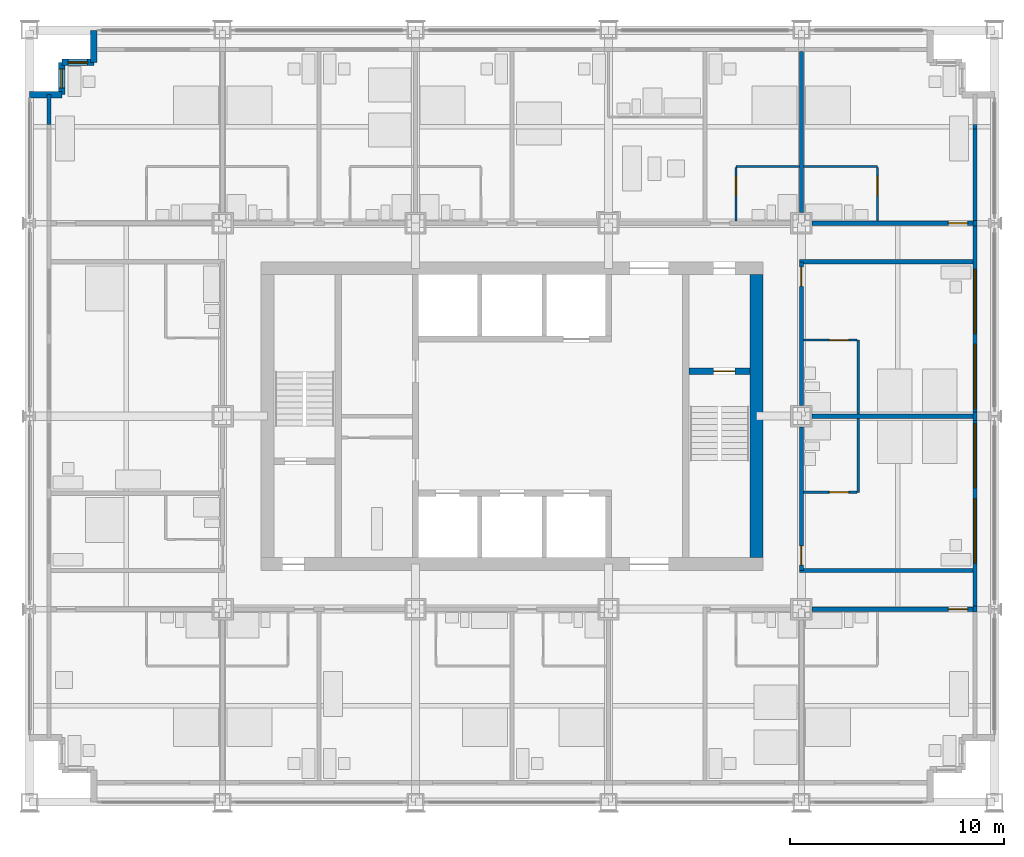
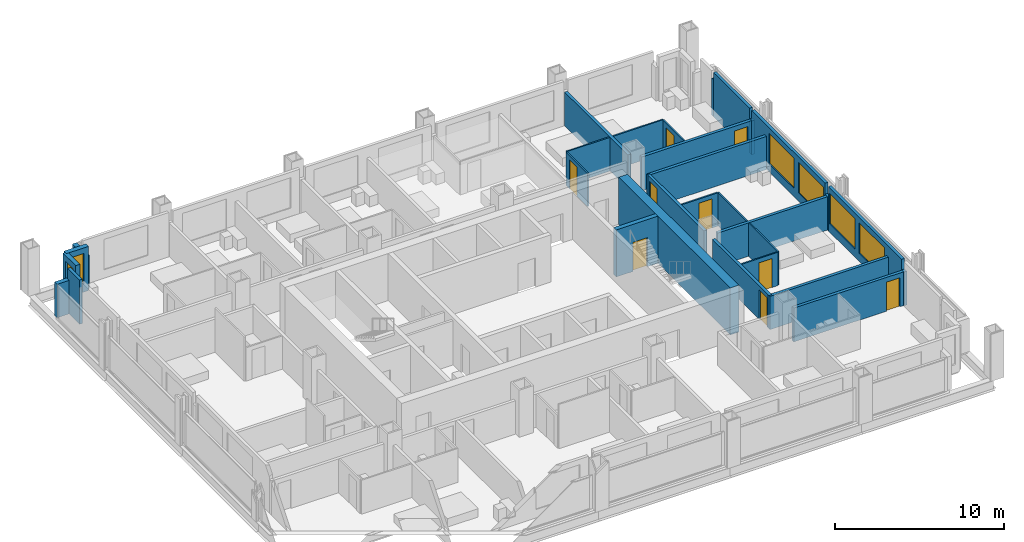
# One storey, part 12 of 16: 30 walls, 9 doors, 6 windows, 15 openings.
"""IFC4 building model written with IfcOpenShell, lengths in metres."""

from ifc_helpers import new_model, si_unit, direction, frame, frame_2d, origin, place, context, subcontext, project, spatial, rectangle, extrude, material, layer, layer_set, type_object, element, fill, save


model = new_model("IFC4")

# Units and contexts
model_context = context("Model", 3, precision=1e-05, world=origin(), true_north=direction((0.0, 1.0)))
body_context = subcontext(model_context, "Body", "Model", "MODEL_VIEW")
ifc_project = project(units=[si_unit("LENGTHUNIT", "METRE"), si_unit("AREAUNIT", "SQUARE_METRE"), si_unit("VOLUMEUNIT", "CUBIC_METRE"), si_unit("PLANEANGLEUNIT", "RADIAN"), si_unit("MASSUNIT", "GRAM", prefix="KILO")], contexts=[model_context])

# Site, building, storey
site_placement = place(None, origin())
site = spatial("IfcSite", under=ifc_project, at=site_placement, CompositionType="ELEMENT")
building_placement = place(site_placement, origin())
building = spatial("IfcBuilding", under=site, at=building_placement, Name="Loomwork Tower", CompositionType="ELEMENT")
storey_placement = place(building_placement, frame((0.0, 0.0, 97.60009765625)))
storey = spatial("IfcBuildingStorey", under=building, at=storey_placement, Name="L25", CompositionType="ELEMENT", Elevation=97.60009765625)

# Wall, opening, door
ifc_material_1 = material(Name="Concrete 14000 psi (97 MPa)", Category="concrete")
ifc_layer_1 = layer(ifc_material_1, 0.300048828125)
ifc_layer_set_1 = layer_set([ifc_layer_1], Name="Core shear wall 300")
wall_type_1 = type_object("IfcWallType", Name="Core shear wall 300", PredefinedType="SHEAR", material=ifc_layer_set_1)
wall_1_placement = place(storey_placement, frame((30.75, 20.10009765625, 0.0), z_axis=(0.0, 0.0, 1.0), x_axis=(1.0, 0.0, 0.0)))
wall_1 = element("IfcWall", 1, at=wall_1_placement, inside=storey, type_object=wall_type_1, Name="Stair B north wall L25", PredefinedType="SHEAR", context=body_context, shape_type="SweptSolid", body=[
    extrude(rectangle(XDim=2.85009765625, YDim=0.300048828125, at=frame_2d((1.425048828125, 0.0))), origin(), (0.0, 0.0, 1.0), 3.39990234375),
])
opening_1_placement = place(wall_1_placement, frame((1.14990234375, 0.0, 0.0)))
opening_1 = element("IfcOpeningElement", 2, at=opening_1_placement, cuts=wall_1, Name="Opening D4", PredefinedType="OPENING", context=body_context, shape_type="SweptSolid", body=[
    extrude(rectangle(XDim=1.0, YDim=2.10009765625, at=frame_2d((0.5, 1.050048828125))), frame((0.0, 0.159912109375, 0.0), z_axis=(0.0, -1.0, 0.0), x_axis=(1.0, 0.0, 0.0)), (0.0, 0.0, 1.0), 0.320068359375),
])
ifc_material_2 = material(Name="Hollow metal door and frame")
door_type_1 = type_object("IfcDoorType", Name="Stair door 1000", OperationType="SINGLE_SWING_RIGHT", PredefinedType="DOOR", material=ifc_material_2)
door_1_placement = place(opening_1_placement, frame((1.0, 0.0, 0.0), z_axis=(0.0, 0.0, 1.0), x_axis=(-1.0, 0.0, 0.0)))
door_1 = element("IfcDoor", 3, at=door_1_placement, inside=storey, type_object=door_type_1, Name="Stair B door", OperationType="SINGLE_SWING_LEFT", OverallHeight=2.10009765625, OverallWidth=1.0, PredefinedType="DOOR", context=body_context, shape_type="SweptSolid", body=[
    extrude(rectangle(XDim=1.0, YDim=2.10009765625, at=frame_2d((0.5, 1.050048828125))), frame((0.0, 0.02490234375, 0.0), z_axis=(0.0, -1.0, 0.0), x_axis=(1.0, 0.0, 0.0)), (0.0, 0.0, 1.0), 0.050048828125),
])
fill(opening_1, door_1)

# Wall
ifc_material_3 = material(Name="Concrete 14000 psi (97 MPa)", Category="concrete")
ifc_layer_2 = layer(ifc_material_3, 0.60009765625)
ifc_layer_set_2 = layer_set([ifc_layer_2], Name="Core shear wall 600")
wall_type_2 = type_object("IfcWallType", Name="Core shear wall 600", PredefinedType="SHEAR", material=ifc_layer_set_2)
wall_2_placement = place(storey_placement, frame((33.89990234375, 11.39990234375, 0.0), z_axis=(0.0, 0.0, 1.0), x_axis=(0.0, 1.0, 0.0)))
element("IfcWall", 4, at=wall_2_placement, inside=storey, type_object=wall_type_2, Name="Core wall east L25", PredefinedType="SHEAR", context=body_context, shape_type="SweptSolid", body=[
    extrude(rectangle(XDim=13.2001953125, YDim=0.60009765625, at=frame_2d((6.60009765625, 0.0))), origin(), (0.0, 0.0, 1.0), 3.39990234375),
])

# Wall, opening, door
ifc_material_4 = material(Name="Gypsum board on steel studs, one-hour", Category="steel")
ifc_layer_3 = layer(ifc_material_4, 0.199951171875)
ifc_layer_set_3 = layer_set([ifc_layer_3], Name="Corridor wall 200")
wall_type_3 = type_object("IfcWallType", Name="Corridor wall 200", PredefinedType="PARTITIONING", material=ifc_layer_set_3)
wall_3_placement = place(storey_placement, frame((36.5, 9.0, 0.0), z_axis=(0.0, 0.0, 1.0), x_axis=(1.0, 0.0, 0.0)))
wall_3 = element("IfcWall", 5, at=wall_3_placement, inside=storey, type_object=wall_type_3, Name="South corridor wall 5", PredefinedType="PARTITIONING", context=body_context, shape_type="SweptSolid", body=[
    extrude(rectangle(XDim=7.5, YDim=0.199951171875, at=frame_2d((3.75, 0.0))), origin(), (0.0, 0.0, 1.0), 2.43798828125),
])
opening_2_placement = place(wall_3_placement, frame((6.35009765625, 0.0, 0.0)))
opening_2 = element("IfcOpeningElement", 6, at=opening_2_placement, cuts=wall_3, Name="Opening D1", PredefinedType="OPENING", context=body_context, shape_type="SweptSolid", body=[
    extrude(rectangle(XDim=0.89990234375, YDim=2.10009765625, at=frame_2d((0.449951171875, 1.050048828125))), frame((0.0, 0.10986328125, 0.0), z_axis=(0.0, -1.0, 0.0), x_axis=(1.0, 0.0, 0.0)), (0.0, 0.0, 1.0), 0.219970703125),
])
ifc_material_5 = material(Name="Hollow metal door and frame")
door_type_2 = type_object("IfcDoorType", Name="Guest room entry door 900", OperationType="SINGLE_SWING_LEFT", PredefinedType="DOOR", material=ifc_material_5)
door_2_placement = place(opening_2_placement, frame((0.89990234375, 0.0, 0.0), z_axis=(0.0, 0.0, 1.0), x_axis=(-1.0, 0.0, 0.0)))
door_2 = element("IfcDoor", 7, at=door_2_placement, inside=storey, type_object=door_type_2, Name="Guest room entry door L25 6", OperationType="SINGLE_SWING_LEFT", OverallHeight=2.10009765625, OverallWidth=0.89990234375, PredefinedType="DOOR", context=body_context, shape_type="SweptSolid", body=[
    extrude(rectangle(XDim=0.89990234375, YDim=2.10009765625, at=frame_2d((0.449951171875, 1.050048828125))), frame((0.0, 0.02490234375, 0.0), z_axis=(0.0, -1.0, 0.0), x_axis=(1.0, 0.0, 0.0)), (0.0, 0.0, 1.0), 0.050048828125),
])
fill(opening_2, door_2)

wall_4_placement = place(storey_placement, frame((36.5, 27.0, 0.0), z_axis=(0.0, 0.0, 1.0), x_axis=(1.0, 0.0, 0.0)))
wall_4 = element("IfcWall", 8, at=wall_4_placement, inside=storey, type_object=wall_type_3, Name="North corridor wall 5", PredefinedType="PARTITIONING", context=body_context, shape_type="SweptSolid", body=[
    extrude(rectangle(XDim=7.5, YDim=0.199951171875, at=frame_2d((3.75, 0.0))), origin(), (0.0, 0.0, 1.0), 2.43798828125),
])
opening_3_placement = place(wall_4_placement, frame((6.35009765625, 0.0, 0.0)))
opening_3 = element("IfcOpeningElement", 9, at=opening_3_placement, cuts=wall_4, Name="Opening D1", PredefinedType="OPENING", context=body_context, shape_type="SweptSolid", body=[
    extrude(rectangle(XDim=0.89990234375, YDim=2.10009765625, at=frame_2d((0.449951171875, 1.050048828125))), frame((0.0, 0.10986328125, 0.0), z_axis=(0.0, -1.0, 0.0), x_axis=(1.0, 0.0, 0.0)), (0.0, 0.0, 1.0), 0.219970703125),
])
door_3_placement = place(opening_3_placement, origin())
door_3 = element("IfcDoor", 10, at=door_3_placement, inside=storey, type_object=door_type_2, Name="Guest room entry door L25 13", OperationType="SINGLE_SWING_RIGHT", OverallHeight=2.10009765625, OverallWidth=0.89990234375, PredefinedType="DOOR", context=body_context, shape_type="SweptSolid", body=[
    extrude(rectangle(XDim=0.89990234375, YDim=2.10009765625, at=frame_2d((0.449951171875, 1.050048828125))), frame((0.0, 0.02490234375, 0.0), z_axis=(0.0, -1.0, 0.0), x_axis=(1.0, 0.0, 0.0)), (0.0, 0.0, 1.0), 0.050048828125),
])
fill(opening_3, door_3)

wall_5_placement = place(storey_placement, frame((36.0, 10.800048828125, 0.0), z_axis=(0.0, 0.0, 1.0), x_axis=(0.0, 1.0, 0.0)))
wall_5 = element("IfcWall", 11, at=wall_5_placement, inside=storey, type_object=wall_type_3, Name="East corridor wall 1", PredefinedType="PARTITIONING", context=body_context, shape_type="SweptSolid", body=[
    extrude(rectangle(XDim=6.699951171875, YDim=0.199951171875, at=frame_2d((3.35009765625, 0.0))), origin(), (0.0, 0.0, 1.0), 2.40478515625),
])
opening_4_placement = place(wall_5_placement, frame((0.25, 0.0, 0.0)))
opening_4 = element("IfcOpeningElement", 12, at=opening_4_placement, cuts=wall_5, Name="Opening D1", PredefinedType="OPENING", context=body_context, shape_type="SweptSolid", body=[
    extrude(rectangle(XDim=0.89990234375, YDim=2.10009765625, at=frame_2d((0.449951171875, 1.050048828125))), frame((0.0, 0.10986328125, 0.0), z_axis=(0.0, -1.0, 0.0), x_axis=(1.0, 0.0, 0.0)), (0.0, 0.0, 1.0), 0.219970703125),
])
door_4_placement = place(opening_4_placement, frame((0.89990234375, 0.0, 0.0), z_axis=(0.0, 0.0, 1.0), x_axis=(-1.0, 0.0, 0.0)))
door_4 = element("IfcDoor", 13, at=door_4_placement, inside=storey, type_object=door_type_2, Name="Guest room entry door L25 16", OperationType="SINGLE_SWING_RIGHT", OverallHeight=2.10009765625, OverallWidth=0.89990234375, PredefinedType="DOOR", context=body_context, shape_type="SweptSolid", body=[
    extrude(rectangle(XDim=0.89990234375, YDim=2.10009765625, at=frame_2d((0.449951171875, 1.050048828125))), frame((0.0, 0.02490234375, 0.0), z_axis=(0.0, -1.0, 0.0), x_axis=(1.0, 0.0, 0.0)), (0.0, 0.0, 1.0), 0.050048828125),
])
fill(opening_4, door_4)

wall_6_placement = place(storey_placement, frame((36.0, 18.5, 0.0), z_axis=(0.0, 0.0, 1.0), x_axis=(0.0, 1.0, 0.0)))
wall_6 = element("IfcWall", 14, at=wall_6_placement, inside=storey, type_object=wall_type_3, Name="East corridor wall 2", PredefinedType="PARTITIONING", context=body_context, shape_type="SweptSolid", body=[
    extrude(rectangle(XDim=6.699951171875, YDim=0.199951171875, at=frame_2d((3.35009765625, 0.0))), origin(), (0.0, 0.0, 1.0), 2.40478515625),
])
opening_5_placement = place(wall_6_placement, frame((5.550048828125, 0.0, 0.0)))
opening_5 = element("IfcOpeningElement", 15, at=opening_5_placement, cuts=wall_6, Name="Opening D1", PredefinedType="OPENING", context=body_context, shape_type="SweptSolid", body=[
    extrude(rectangle(XDim=0.89990234375, YDim=2.10009765625, at=frame_2d((0.449951171875, 1.050048828125))), frame((0.0, 0.10986328125, 0.0), z_axis=(0.0, -1.0, 0.0), x_axis=(1.0, 0.0, 0.0)), (0.0, 0.0, 1.0), 0.219970703125),
])
door_5_placement = place(opening_5_placement, frame((0.89990234375, 0.0, 0.0), z_axis=(0.0, 0.0, 1.0), x_axis=(-1.0, 0.0, 0.0)))
door_5 = element("IfcDoor", 16, at=door_5_placement, inside=storey, type_object=door_type_2, Name="Guest room entry door L25 17", OperationType="SINGLE_SWING_LEFT", OverallHeight=2.10009765625, OverallWidth=0.89990234375, PredefinedType="DOOR", context=body_context, shape_type="SweptSolid", body=[
    extrude(rectangle(XDim=0.89990234375, YDim=2.10009765625, at=frame_2d((0.449951171875, 1.050048828125))), frame((0.0, 0.02490234375, 0.0), z_axis=(0.0, -1.0, 0.0), x_axis=(1.0, 0.0, 0.0)), (0.0, 0.0, 1.0), 0.050048828125),
])
fill(opening_5, door_5)

# Walls
for number, where, z_axis, x_axis, name in (
    (17, (35.89990234375, 10.800048828125, 0.0), (0.0, 0.0, 1.0), (1.0, 0.0, 0.0), "East band end wall S"),
    (18, (35.89990234375, 25.199951171875, 0.0), (0.0, 0.0, 1.0), (1.0, 0.0, 0.0), "East band end wall N"),
):
    element("IfcWall", number, at=place(storey_placement, frame(where, z_axis=z_axis, x_axis=x_axis)), inside=storey, type_object=wall_type_3, Name=name, PredefinedType="PARTITIONING", context=body_context, shape_type="SweptSolid", body=[
        extrude(rectangle(XDim=8.10009765625, YDim=0.199951171875, at=frame_2d((4.050048828125, 0.0))), origin(), (0.0, 0.0, 1.0), 2.40380859375),
    ])
ifc_material_6 = material(Name="Cement board on steel studs", Category="steel")
ifc_layer_4 = layer(ifc_material_6, 0.10009765625)
ifc_layer_set_4 = layer_set([ifc_layer_4], Name="En-suite partition 100")
wall_type_4 = type_object("IfcWallType", Name="En-suite partition 100", PredefinedType="PARTITIONING", material=ifc_layer_set_4)
wall_7_placement = place(storey_placement, frame((32.949951171875, 29.64990234375, 0.0), z_axis=(0.0, 0.0, 1.0), x_axis=(1.0, 0.0, 0.0)))
element("IfcWall", 19, at=wall_7_placement, inside=storey, type_object=wall_type_4, Name="En-suite wall L25 room 12", PredefinedType="PARTITIONING", context=body_context, shape_type="SweptSolid", body=[
    extrude(rectangle(XDim=2.949951171875, YDim=0.10009765625, at=frame_2d((1.47509765625, 0.0))), origin(), (0.0, 0.0, 1.0), 2.43798828125),
])

# Wall, opening, door
wall_8_placement = place(storey_placement, frame((32.949951171875, 27.10009765625, 0.0), z_axis=(0.0, 0.0, 1.0), x_axis=(0.0, 1.0, 0.0)))
wall_8 = element("IfcWall", 20, at=wall_8_placement, inside=storey, type_object=wall_type_4, Name="En-suite side wall L25 room 12", PredefinedType="PARTITIONING", context=body_context, shape_type="SweptSolid", body=[
    extrude(rectangle(XDim=2.5, YDim=0.10009765625, at=frame_2d((1.25, 0.0))), origin(), (0.0, 0.0, 1.0), 2.40380859375),
])
opening_6_placement = place(wall_8_placement, frame((1.199951171875, 0.0, 0.0)))
opening_6 = element("IfcOpeningElement", 21, at=opening_6_placement, cuts=wall_8, Name="Opening D2", PredefinedType="OPENING", context=body_context, shape_type="SweptSolid", body=[
    extrude(rectangle(XDim=0.89990234375, YDim=2.10009765625, at=frame_2d((0.449951171875, 1.050048828125))), frame((0.0, 0.06005859375, 0.0), z_axis=(0.0, -1.0, 0.0), x_axis=(1.0, 0.0, 0.0)), (0.0, 0.0, 1.0), 0.1201171875),
])
ifc_material_7 = material(Name="Hollow metal door and frame")
door_type_3 = type_object("IfcDoorType", Name="En-suite door 900", OperationType="SINGLE_SWING_LEFT", PredefinedType="DOOR", material=ifc_material_7)
door_6_placement = place(opening_6_placement, frame((0.89990234375, 0.0, 0.0), z_axis=(0.0, 0.0, 1.0), x_axis=(-1.0, 0.0, 0.0)))
door_6 = element("IfcDoor", 22, at=door_6_placement, inside=storey, type_object=door_type_3, Name="En-suite door room 12", OperationType="SINGLE_SWING_LEFT", OverallHeight=2.10009765625, OverallWidth=0.89990234375, PredefinedType="DOOR", context=body_context, shape_type="SweptSolid", body=[
    extrude(rectangle(XDim=0.89990234375, YDim=2.10009765625, at=frame_2d((0.449951171875, 1.050048828125))), frame((0.0, 0.02490234375, 0.0), z_axis=(0.0, -1.0, 0.0), x_axis=(1.0, 0.0, 0.0)), (0.0, 0.0, 1.0), 0.050048828125),
])
fill(opening_6, door_6)

# Wall
wall_9_placement = place(storey_placement, frame((36.10009765625, 29.64990234375, 0.0), z_axis=(0.0, 0.0, 1.0), x_axis=(1.0, 0.0, 0.0)))
element("IfcWall", 23, at=wall_9_placement, inside=storey, type_object=wall_type_4, Name="En-suite wall L25 room 13", PredefinedType="PARTITIONING", context=body_context, shape_type="SweptSolid", body=[
    extrude(rectangle(XDim=3.449951171875, YDim=0.10009765625, at=frame_2d((1.72509765625, 0.0))), origin(), (0.0, 0.0, 1.0), 2.43798828125),
])

# Wall, opening, door
wall_10_placement = place(storey_placement, frame((39.550048828125, 27.10009765625, 0.0), z_axis=(0.0, 0.0, 1.0), x_axis=(0.0, 1.0, 0.0)))
wall_10 = element("IfcWall", 24, at=wall_10_placement, inside=storey, type_object=wall_type_4, Name="En-suite side wall L25 room 13", PredefinedType="PARTITIONING", context=body_context, shape_type="SweptSolid", body=[
    extrude(rectangle(XDim=2.5, YDim=0.10009765625, at=frame_2d((1.25, 0.0))), origin(), (0.0, 0.0, 1.0), 2.43798828125),
])
opening_7_placement = place(wall_10_placement, frame((1.199951171875, 0.0, 0.0)))
opening_7 = element("IfcOpeningElement", 25, at=opening_7_placement, cuts=wall_10, Name="Opening D2", PredefinedType="OPENING", context=body_context, shape_type="SweptSolid", body=[
    extrude(rectangle(XDim=0.89990234375, YDim=2.10009765625, at=frame_2d((0.449951171875, 1.050048828125))), frame((0.0, 0.06005859375, 0.0), z_axis=(0.0, -1.0, 0.0), x_axis=(1.0, 0.0, 0.0)), (0.0, 0.0, 1.0), 0.1201171875),
])
door_7_placement = place(opening_7_placement, origin())
door_7 = element("IfcDoor", 26, at=door_7_placement, inside=storey, type_object=door_type_3, Name="En-suite door room 13", OperationType="SINGLE_SWING_RIGHT", OverallHeight=2.10009765625, OverallWidth=0.89990234375, PredefinedType="DOOR", context=body_context, shape_type="SweptSolid", body=[
    extrude(rectangle(XDim=0.89990234375, YDim=2.10009765625, at=frame_2d((0.449951171875, 1.050048828125))), frame((0.0, 0.02490234375, 0.0), z_axis=(0.0, -1.0, 0.0), x_axis=(1.0, 0.0, 0.0)), (0.0, 0.0, 1.0), 0.050048828125),
])
fill(opening_7, door_7)

# Wall
wall_11_placement = place(storey_placement, frame((38.64990234375, 14.449951171875, 0.0), z_axis=(0.0, 0.0, 1.0), x_axis=(0.0, 1.0, 0.0)))
element("IfcWall", 27, at=wall_11_placement, inside=storey, type_object=wall_type_4, Name="En-suite wall L25 room 16", PredefinedType="PARTITIONING", context=body_context, shape_type="SweptSolid", body=[
    extrude(rectangle(XDim=3.449951171875, YDim=0.10009765625, at=frame_2d((1.72509765625, 0.0))), origin(), (0.0, 0.0, 1.0), 2.40380859375),
])

# Wall, opening, door
wall_12_placement = place(storey_placement, frame((36.10009765625, 14.449951171875, 0.0), z_axis=(0.0, 0.0, 1.0), x_axis=(1.0, 0.0, 0.0)))
wall_12 = element("IfcWall", 28, at=wall_12_placement, inside=storey, type_object=wall_type_4, Name="En-suite side wall L25 room 16", PredefinedType="PARTITIONING", context=body_context, shape_type="SweptSolid", body=[
    extrude(rectangle(XDim=2.5, YDim=0.10009765625, at=frame_2d((1.25, 0.0))), origin(), (0.0, 0.0, 1.0), 2.40380859375),
])
opening_8_placement = place(wall_12_placement, frame((1.199951171875, 0.0, 0.0)))
opening_8 = element("IfcOpeningElement", 29, at=opening_8_placement, cuts=wall_12, Name="Opening D2", PredefinedType="OPENING", context=body_context, shape_type="SweptSolid", body=[
    extrude(rectangle(XDim=0.89990234375, YDim=2.10009765625, at=frame_2d((0.449951171875, 1.050048828125))), frame((0.0, 0.06005859375, 0.0), z_axis=(0.0, -1.0, 0.0), x_axis=(1.0, 0.0, 0.0)), (0.0, 0.0, 1.0), 0.1201171875),
])
door_8_placement = place(opening_8_placement, origin())
door_8 = element("IfcDoor", 30, at=door_8_placement, inside=storey, type_object=door_type_3, Name="En-suite door room 16", OperationType="SINGLE_SWING_RIGHT", OverallHeight=2.10009765625, OverallWidth=0.89990234375, PredefinedType="DOOR", context=body_context, shape_type="SweptSolid", body=[
    extrude(rectangle(XDim=0.89990234375, YDim=2.10009765625, at=frame_2d((0.449951171875, 1.050048828125))), frame((0.0, 0.02490234375, 0.0), z_axis=(0.0, -1.0, 0.0), x_axis=(1.0, 0.0, 0.0)), (0.0, 0.0, 1.0), 0.050048828125),
])
fill(opening_8, door_8)

# Wall
wall_13_placement = place(storey_placement, frame((38.64990234375, 18.10009765625, 0.0), z_axis=(0.0, 0.0, 1.0), x_axis=(0.0, 1.0, 0.0)))
element("IfcWall", 31, at=wall_13_placement, inside=storey, type_object=wall_type_4, Name="En-suite wall L25 room 17", PredefinedType="PARTITIONING", context=body_context, shape_type="SweptSolid", body=[
    extrude(rectangle(XDim=3.449951171875, YDim=0.10009765625, at=frame_2d((1.72509765625, 0.0))), origin(), (0.0, 0.0, 1.0), 2.40380859375),
])

# Wall, opening, door
wall_14_placement = place(storey_placement, frame((36.10009765625, 21.550048828125, 0.0), z_axis=(0.0, 0.0, 1.0), x_axis=(1.0, 0.0, 0.0)))
wall_14 = element("IfcWall", 32, at=wall_14_placement, inside=storey, type_object=wall_type_4, Name="En-suite side wall L25 room 17", PredefinedType="PARTITIONING", context=body_context, shape_type="SweptSolid", body=[
    extrude(rectangle(XDim=2.5, YDim=0.10009765625, at=frame_2d((1.25, 0.0))), origin(), (0.0, 0.0, 1.0), 2.40380859375),
])
opening_9_placement = place(wall_14_placement, frame((1.199951171875, 0.0, 0.0)))
opening_9 = element("IfcOpeningElement", 33, at=opening_9_placement, cuts=wall_14, Name="Opening D2", PredefinedType="OPENING", context=body_context, shape_type="SweptSolid", body=[
    extrude(rectangle(XDim=0.89990234375, YDim=2.10009765625, at=frame_2d((0.449951171875, 1.050048828125))), frame((0.0, 0.06005859375, 0.0), z_axis=(0.0, -1.0, 0.0), x_axis=(1.0, 0.0, 0.0)), (0.0, 0.0, 1.0), 0.1201171875),
])
door_9_placement = place(opening_9_placement, frame((0.89990234375, 0.0, 0.0), z_axis=(0.0, 0.0, 1.0), x_axis=(-1.0, 0.0, 0.0)))
door_9 = element("IfcDoor", 34, at=door_9_placement, inside=storey, type_object=door_type_3, Name="En-suite door room 17", OperationType="SINGLE_SWING_LEFT", OverallHeight=2.10009765625, OverallWidth=0.89990234375, PredefinedType="DOOR", context=body_context, shape_type="SweptSolid", body=[
    extrude(rectangle(XDim=0.89990234375, YDim=2.10009765625, at=frame_2d((0.449951171875, 1.050048828125))), frame((0.0, 0.02490234375, 0.0), z_axis=(0.0, -1.0, 0.0), x_axis=(1.0, 0.0, 0.0)), (0.0, 0.0, 1.0), 0.050048828125),
])
fill(opening_9, door_9)

# Walls
ifc_material_8 = material(Name="Gypsum board on steel studs, acoustic", Category="steel")
ifc_layer_5 = layer(ifc_material_8, 0.199951171875)
ifc_layer_set_5 = layer_set([ifc_layer_5], Name="Guest room party wall 200")
wall_type_5 = type_object("IfcWallType", Name="Guest room party wall 200", PredefinedType="PARTITIONING", material=ifc_layer_set_5)
wall_15_placement = place(storey_placement, frame((36.0, 27.5, 0.0), z_axis=(0.0, 0.0, 1.0), x_axis=(0.0, 1.0, 0.0)))
element("IfcWall", 35, at=wall_15_placement, inside=storey, type_object=wall_type_5, Name="Guest room party wall N 36", PredefinedType="PARTITIONING", context=body_context, shape_type="SweptSolid", body=[
    extrude(rectangle(XDim=7.5, YDim=0.199951171875, at=frame_2d((3.75, 0.0))), origin(), (0.0, 0.0, 1.0), 2.43798828125),
])
wall_16_placement = place(storey_placement, frame((36.5, 18.0, 0.0), z_axis=(0.0, 0.0, 1.0), x_axis=(1.0, 0.0, 0.0)))
element("IfcWall", 36, at=wall_16_placement, inside=storey, type_object=wall_type_5, Name="Guest room party wall E 18", PredefinedType="PARTITIONING", context=body_context, shape_type="SweptSolid", body=[
    extrude(rectangle(XDim=7.5, YDim=0.199951171875, at=frame_2d((3.75, 0.0))), origin(), (0.0, 0.0, 1.0), 2.40478515625),
])
ifc_material_9 = material(Name="Insulated steel stud wall with gypsum lining", Category="steel")
ifc_layer_6 = layer(ifc_material_9, 0.199951171875)
ifc_layer_set_6 = layer_set([ifc_layer_6], Name="Inner skin wall 200")
wall_type_6 = type_object("IfcWallType", Name="Inner skin wall 200", PredefinedType="SOLIDWALL", material=ifc_layer_set_6)
wall_17_placement = place(storey_placement, frame((0.89990234375, 31.607421875, 0.0), z_axis=(0.0, 0.0, 1.0), x_axis=(0.0, 1.0, 0.0)))
element("IfcWall", 37, at=wall_17_placement, inside=storey, type_object=wall_type_6, Name="Inner skin wall W bay 11", PredefinedType="SOLIDWALL", context=body_context, shape_type="SweptSolid", body=[
    extrude(rectangle(XDim=1.392578125, YDim=0.199951171875, at=frame_2d((0.6962890625, 0.0))), origin(), (0.0, 0.0, 1.0), 3.199951171875),
])
wall_18_placement = place(storey_placement, frame((44.10009765625, 8.86474609375, 0.0), z_axis=(0.0, 0.0, 1.0), x_axis=(0.0, 1.0, 0.0)))
element("IfcWall", 38, at=wall_18_placement, inside=storey, type_object=wall_type_6, Name="Inner skin wall E bay 4", PredefinedType="SOLIDWALL", context=body_context, shape_type="SweptSolid", body=[
    extrude(rectangle(XDim=0.2705078125, YDim=0.199951171875, at=frame_2d((0.13525390625, 0.0))), origin(), (0.0, 0.0, 1.0), 2.43798828125),
])

# Wall, openings, windows
wall_19_placement = place(storey_placement, frame((44.10009765625, 9.13525390625, 0.0), z_axis=(0.0, 0.0, 1.0), x_axis=(0.0, 1.0, 0.0)))
wall_19 = element("IfcWall", 39, at=wall_19_placement, inside=storey, type_object=wall_type_6, Name="Inner skin wall E bay 5", PredefinedType="SOLIDWALL", context=body_context, shape_type="SweptSolid", body=[
    extrude(rectangle(XDim=8.6708984375, YDim=0.199951171875, at=frame_2d((4.33544921875, 0.0))), origin(), (0.0, 0.0, 1.0), 3.199951171875),
])
opening_10_placement = place(wall_19_placement, frame((2.0146484375, 0.0, 0.60009765625)))
opening_10 = element("IfcOpeningElement", 40, at=opening_10_placement, cuts=wall_19, Name="Opening CH1", PredefinedType="OPENING", context=body_context, shape_type="SweptSolid", body=[
    extrude(rectangle(XDim=3.0, YDim=2.199951171875, at=frame_2d((1.5, 1.10009765625))), frame((0.0, 0.10986328125, 0.0), z_axis=(0.0, -1.0, 0.0), x_axis=(1.0, 0.0, 0.0)), (0.0, 0.0, 1.0), 0.219970703125),
])
opening_11_placement = place(wall_19_placement, frame((5.5146484375, 0.0, 0.60009765625)))
opening_11 = element("IfcOpeningElement", 41, at=opening_11_placement, cuts=wall_19, Name="Opening CH1", PredefinedType="OPENING", context=body_context, shape_type="SweptSolid", body=[
    extrude(rectangle(XDim=3.0, YDim=2.199951171875, at=frame_2d((1.5, 1.10009765625))), frame((0.0, 0.10986328125, 0.0), z_axis=(0.0, -1.0, 0.0), x_axis=(1.0, 0.0, 0.0)), (0.0, 0.0, 1.0), 0.219970703125),
])
ifc_material_10 = material(Name="Aluminium frame with clear insulated glass", Category="aluminium")
window_type_1 = type_object("IfcWindowType", Name="Chicago window 3000", PartitioningType="TRIPLE_PANEL_VERTICAL", PredefinedType="WINDOW", material=ifc_material_10)
window_1_placement = place(opening_10_placement, origin())
window_1 = element("IfcWindow", 42, at=window_1_placement, inside=storey, type_object=window_type_1, Name="Chicago window L25 bay 13", OverallHeight=2.199951171875, OverallWidth=3.0, PartitioningType="TRIPLE_PANEL_VERTICAL", PredefinedType="WINDOW", context=body_context, shape_type="SweptSolid", body=[
    extrude(rectangle(XDim=3.0, YDim=2.199951171875, at=frame_2d((1.5, 1.10009765625))), frame((0.0, 0.030029296875, 0.0), z_axis=(0.0, -1.0, 0.0), x_axis=(1.0, 0.0, 0.0)), (0.0, 0.0, 1.0), 0.06005859375),
])
fill(opening_10, window_1)
window_2_placement = place(opening_11_placement, origin())
window_2 = element("IfcWindow", 43, at=window_2_placement, inside=storey, type_object=window_type_1, Name="Chicago window L25 bay 13", OverallHeight=2.199951171875, OverallWidth=3.0, PartitioningType="TRIPLE_PANEL_VERTICAL", PredefinedType="WINDOW", context=body_context, shape_type="SweptSolid", body=[
    extrude(rectangle(XDim=3.0, YDim=2.199951171875, at=frame_2d((1.5, 1.10009765625))), frame((0.0, 0.030029296875, 0.0), z_axis=(0.0, -1.0, 0.0), x_axis=(1.0, 0.0, 0.0)), (0.0, 0.0, 1.0), 0.06005859375),
])
fill(opening_11, window_2)

# Wall
wall_20_placement = place(storey_placement, frame((44.10009765625, 17.80615234375, 0.0), z_axis=(0.0, 0.0, 1.0), x_axis=(0.0, 1.0, 0.0)))
element("IfcWall", 44, at=wall_20_placement, inside=storey, type_object=wall_type_6, Name="Inner skin wall E bay 6", PredefinedType="SOLIDWALL", context=body_context, shape_type="SweptSolid", body=[
    extrude(rectangle(XDim=0.3876953125, YDim=0.199951171875, at=frame_2d((0.19384765625, 0.0))), origin(), (0.0, 0.0, 1.0), 2.40380859375),
])

# Wall, openings, windows
wall_21_placement = place(storey_placement, frame((44.10009765625, 18.19384765625, 0.0), z_axis=(0.0, 0.0, 1.0), x_axis=(0.0, 1.0, 0.0)))
wall_21 = element("IfcWall", 45, at=wall_21_placement, inside=storey, type_object=wall_type_6, Name="Inner skin wall E bay 7", PredefinedType="SOLIDWALL", context=body_context, shape_type="SweptSolid", body=[
    extrude(rectangle(XDim=8.6708984375, YDim=0.199951171875, at=frame_2d((4.33544921875, 0.0))), origin(), (0.0, 0.0, 1.0), 3.199951171875),
])
opening_12_placement = place(wall_21_placement, frame((0.15625, 0.0, 0.60009765625)))
opening_12 = element("IfcOpeningElement", 46, at=opening_12_placement, cuts=wall_21, Name="Opening CH1", PredefinedType="OPENING", context=body_context, shape_type="SweptSolid", body=[
    extrude(rectangle(XDim=3.0, YDim=2.199951171875, at=frame_2d((1.5, 1.10009765625))), frame((0.0, 0.10986328125, 0.0), z_axis=(0.0, -1.0, 0.0), x_axis=(1.0, 0.0, 0.0)), (0.0, 0.0, 1.0), 0.219970703125),
])
opening_13_placement = place(wall_21_placement, frame((3.65625, 0.0, 0.60009765625)))
opening_13 = element("IfcOpeningElement", 47, at=opening_13_placement, cuts=wall_21, Name="Opening CH1", PredefinedType="OPENING", context=body_context, shape_type="SweptSolid", body=[
    extrude(rectangle(XDim=3.0, YDim=2.199951171875, at=frame_2d((1.5, 1.10009765625))), frame((0.0, 0.10986328125, 0.0), z_axis=(0.0, -1.0, 0.0), x_axis=(1.0, 0.0, 0.0)), (0.0, 0.0, 1.0), 0.219970703125),
])
window_3_placement = place(opening_12_placement, origin())
window_3 = element("IfcWindow", 48, at=window_3_placement, inside=storey, type_object=window_type_1, Name="Chicago window L25 bay 14", OverallHeight=2.199951171875, OverallWidth=3.0, PartitioningType="TRIPLE_PANEL_VERTICAL", PredefinedType="WINDOW", context=body_context, shape_type="SweptSolid", body=[
    extrude(rectangle(XDim=3.0, YDim=2.199951171875, at=frame_2d((1.5, 1.10009765625))), frame((0.0, 0.030029296875, 0.0), z_axis=(0.0, -1.0, 0.0), x_axis=(1.0, 0.0, 0.0)), (0.0, 0.0, 1.0), 0.06005859375),
])
fill(opening_12, window_3)
window_4_placement = place(opening_13_placement, origin())
window_4 = element("IfcWindow", 49, at=window_4_placement, inside=storey, type_object=window_type_1, Name="Chicago window L25 bay 14", OverallHeight=2.199951171875, OverallWidth=3.0, PartitioningType="TRIPLE_PANEL_VERTICAL", PredefinedType="WINDOW", context=body_context, shape_type="SweptSolid", body=[
    extrude(rectangle(XDim=3.0, YDim=2.199951171875, at=frame_2d((1.5, 1.10009765625))), frame((0.0, 0.030029296875, 0.0), z_axis=(0.0, -1.0, 0.0), x_axis=(1.0, 0.0, 0.0)), (0.0, 0.0, 1.0), 0.06005859375),
])
fill(opening_13, window_4)

# Walls
wall_22_placement = place(storey_placement, frame((44.10009765625, 26.86474609375, 0.0), z_axis=(0.0, 0.0, 1.0), x_axis=(0.0, 1.0, 0.0)))
element("IfcWall", 50, at=wall_22_placement, inside=storey, type_object=wall_type_6, Name="Inner skin wall E bay 8", PredefinedType="SOLIDWALL", context=body_context, shape_type="SweptSolid", body=[
    extrude(rectangle(XDim=0.2705078125, YDim=0.199951171875, at=frame_2d((0.13525390625, 0.0))), origin(), (0.0, 0.0, 1.0), 2.43798828125),
])
wall_23_placement = place(storey_placement, frame((44.10009765625, 27.13525390625, 0.0), z_axis=(0.0, 0.0, 1.0), x_axis=(0.0, 1.0, 0.0)))
element("IfcWall", 51, at=wall_23_placement, inside=storey, type_object=wall_type_6, Name="Inner skin wall E bay 9", PredefinedType="SOLIDWALL", context=body_context, shape_type="SweptSolid", body=[
    extrude(rectangle(XDim=4.25732421875, YDim=0.199951171875, at=frame_2d((2.128662109375, 0.0))), origin(), (0.0, 0.0, 1.0), 3.199951171875),
])
wall_24_placement = place(storey_placement, frame((44.10009765625, 31.392578125, 0.0), z_axis=(0.0, 0.0, 1.0), x_axis=(0.0, 1.0, 0.0)))
element("IfcWall", 52, at=wall_24_placement, inside=storey, type_object=wall_type_6, Name="Inner skin wall E bay 10", PredefinedType="SOLIDWALL", context=body_context, shape_type="SweptSolid", body=[
    extrude(rectangle(XDim=0.21484375, YDim=0.199951171875, at=frame_2d((0.107421875, 0.0))), origin(), (0.0, 0.0, 1.0), 2.660888671875),
])
ifc_material_11 = material(Name="Limestone on concrete masonry", Category="masonry")
ifc_layer_7 = layer(ifc_material_11, 0.300048828125)
ifc_layer_set_7 = layer_set([ifc_layer_7], Name="Limestone corner wall 300")
wall_type_7 = type_object("IfcWallType", Name="Limestone corner wall 300", PredefinedType="SOLIDWALL", material=ifc_layer_set_7)
wall_25_placement = place(storey_placement, frame((3.0, 36.0, 0.0), z_axis=(0.0, 0.0, 1.0), x_axis=(0.0, -1.0, 0.0)))
element("IfcWall", 53, at=wall_25_placement, inside=storey, type_object=wall_type_7, Name="Stone corner wall NW 1", PredefinedType="SOLIDWALL", context=body_context, shape_type="SweptSolid", body=[
    extrude(rectangle(XDim=1.5, YDim=0.300048828125, at=frame_2d((0.75, 0.0))), origin(), (0.0, 0.0, 1.0), 2.419921875),
])

# Wall, opening, window
wall_26_placement = place(storey_placement, frame((3.0, 34.5, 0.0), z_axis=(0.0, 0.0, 1.0), x_axis=(-1.0, 0.0, 0.0)))
wall_26 = element("IfcWall", 54, at=wall_26_placement, inside=storey, type_object=wall_type_7, Name="Stone corner wall NW 2", PredefinedType="SOLIDWALL", context=body_context, shape_type="SweptSolid", body=[
    extrude(rectangle(XDim=1.5, YDim=0.300048828125, at=frame_2d((0.75, 0.0))), origin(), (0.0, 0.0, 1.0), 3.199951171875),
])
opening_14_placement = place(wall_26_placement, frame((0.300048828125, 0.0, 0.60009765625)))
opening_14 = element("IfcOpeningElement", 55, at=opening_14_placement, cuts=wall_26, Name="Opening CH2", PredefinedType="OPENING", context=body_context, shape_type="SweptSolid", body=[
    extrude(rectangle(XDim=0.89990234375, YDim=2.199951171875, at=frame_2d((0.449951171875, 1.10009765625))), frame((0.0, 0.159912109375, 0.0), z_axis=(0.0, -1.0, 0.0), x_axis=(1.0, 0.0, 0.0)), (0.0, 0.0, 1.0), 0.320068359375),
])
ifc_material_12 = material(Name="Aluminium frame with clear insulated glass", Category="aluminium")
window_type_2 = type_object("IfcWindowType", Name="Corner window 900", PartitioningType="SINGLE_PANEL", PredefinedType="WINDOW", material=ifc_material_12)
window_5_placement = place(opening_14_placement, origin())
window_5 = element("IfcWindow", 56, at=window_5_placement, inside=storey, type_object=window_type_2, Name="Corner window NW", OverallHeight=2.199951171875, OverallWidth=0.89990234375, PartitioningType="SINGLE_PANEL", PredefinedType="WINDOW", context=body_context, shape_type="SweptSolid", body=[
    extrude(rectangle(XDim=0.89990234375, YDim=2.199951171875, at=frame_2d((0.449951171875, 1.10009765625))), frame((0.0, 0.030029296875, 0.0), z_axis=(0.0, -1.0, 0.0), x_axis=(1.0, 0.0, 0.0)), (0.0, 0.0, 1.0), 0.06005859375),
])
fill(opening_14, window_5)

wall_27_placement = place(storey_placement, frame((1.5, 34.5, 0.0), z_axis=(0.0, 0.0, 1.0), x_axis=(0.0, -1.0, 0.0)))
wall_27 = element("IfcWall", 57, at=wall_27_placement, inside=storey, type_object=wall_type_7, Name="Stone corner wall NW 3", PredefinedType="SOLIDWALL", context=body_context, shape_type="SweptSolid", body=[
    extrude(rectangle(XDim=1.5, YDim=0.300048828125, at=frame_2d((0.75, 0.0))), origin(), (0.0, 0.0, 1.0), 3.199951171875),
])
opening_15_placement = place(wall_27_placement, frame((0.300048828125, 0.0, 0.60009765625)))
opening_15 = element("IfcOpeningElement", 58, at=opening_15_placement, cuts=wall_27, Name="Opening CH2", PredefinedType="OPENING", context=body_context, shape_type="SweptSolid", body=[
    extrude(rectangle(XDim=0.89990234375, YDim=2.199951171875, at=frame_2d((0.449951171875, 1.10009765625))), frame((0.0, 0.159912109375, 0.0), z_axis=(0.0, -1.0, 0.0), x_axis=(1.0, 0.0, 0.0)), (0.0, 0.0, 1.0), 0.320068359375),
])
window_6_placement = place(opening_15_placement, origin())
window_6 = element("IfcWindow", 59, at=window_6_placement, inside=storey, type_object=window_type_2, Name="Corner window NW", OverallHeight=2.199951171875, OverallWidth=0.89990234375, PartitioningType="SINGLE_PANEL", PredefinedType="WINDOW", context=body_context, shape_type="SweptSolid", body=[
    extrude(rectangle(XDim=0.89990234375, YDim=2.199951171875, at=frame_2d((0.449951171875, 1.10009765625))), frame((0.0, 0.030029296875, 0.0), z_axis=(0.0, -1.0, 0.0), x_axis=(1.0, 0.0, 0.0)), (0.0, 0.0, 1.0), 0.06005859375),
])
fill(opening_15, window_6)

# Wall
wall_28_placement = place(storey_placement, frame((1.5, 33.0, 0.0), z_axis=(0.0, 0.0, 1.0), x_axis=(-1.0, 0.0, 0.0)))
element("IfcWall", 60, at=wall_28_placement, inside=storey, type_object=wall_type_7, Name="Stone corner wall NW 4", PredefinedType="SOLIDWALL", context=body_context, shape_type="SweptSolid", body=[
    extrude(rectangle(XDim=1.5, YDim=0.300048828125, at=frame_2d((0.75, 0.0))), origin(), (0.0, 0.0, 1.0), 2.419921875),
])

save(model, "model.ifc")
